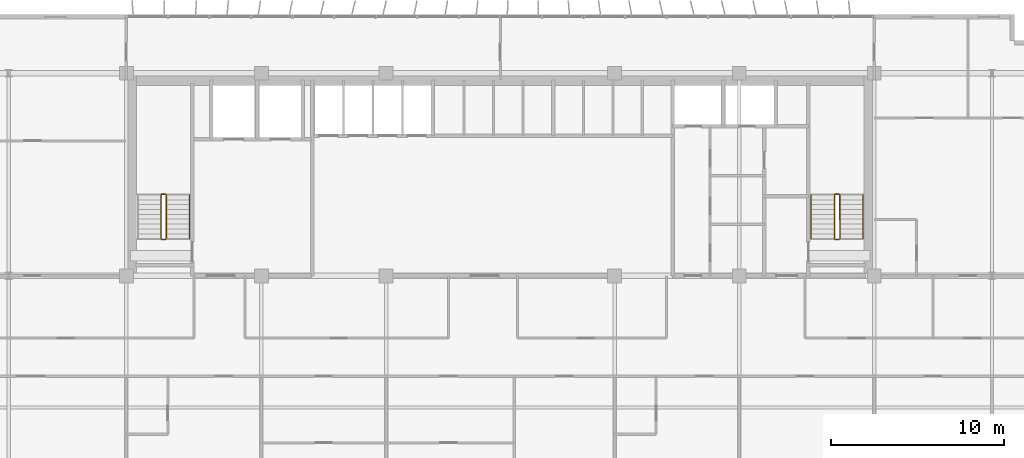
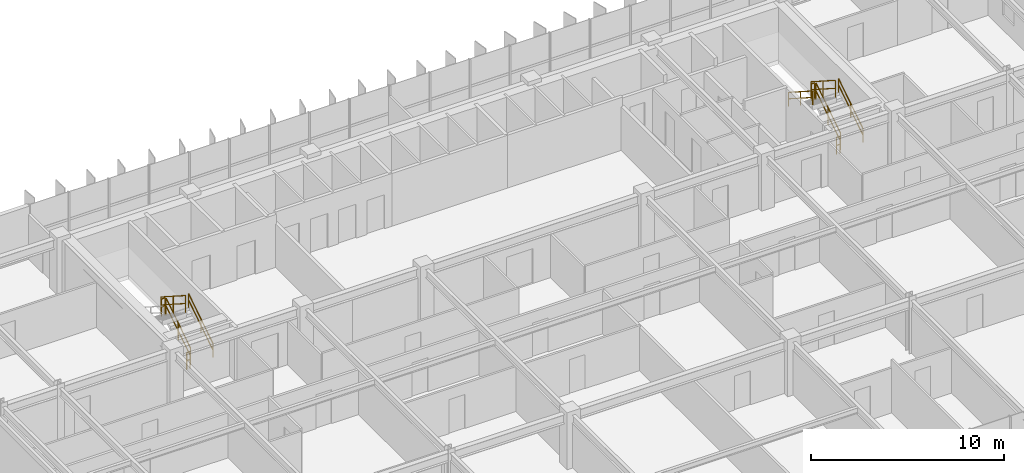
# One storey, part 25 of 26: 11 railings.
"""IFC4 building model written with IfcOpenShell, lengths in metres."""

from ifc_helpers import new_model, si_unit, direction, frame, origin, origin_2d, place, context, subcontext, project, spatial, rectangle, extrude, material, type_object, element, save


model = new_model("IFC4")

# Units and contexts
model_context = context("Model", 3, precision=1e-05, world=origin(), true_north=direction((0.0, 1.0)))
body_context = subcontext(model_context, "Body", "Model", "MODEL_VIEW")
ifc_project = project(units=[si_unit("LENGTHUNIT", "METRE"), si_unit("AREAUNIT", "SQUARE_METRE"), si_unit("VOLUMEUNIT", "CUBIC_METRE"), si_unit("PLANEANGLEUNIT", "RADIAN"), si_unit("MASSUNIT", "GRAM", prefix="KILO")], contexts=[model_context])

# Site, building, storey
site_placement = place(None, origin())
site = spatial("IfcSite", under=ifc_project, at=site_placement, CompositionType="ELEMENT")
building_placement = place(site_placement, origin())
building = spatial("IfcBuilding", under=site, at=building_placement, Name="Trelvane Seafront Commons", CompositionType="ELEMENT")
storey_placement = place(building_placement, frame((0.0, 0.0, 124.89990234375)))
storey = spatial("IfcBuildingStorey", under=building, at=storey_placement, Name="L32", CompositionType="ELEMENT", Elevation=124.89990234375)

# Railings
ifc_material = material(Name="Stainless steel balustrade", Category="steel")
railing_type_1 = type_object("IfcRailingType", Name="ARCH-SRL-GUARD", PredefinedType="GUARDRAIL", material=ifc_material)
railing_1_placement = place(storey_placement, frame((17.89990234375, 35.550048828125, 0.18017578125)))
element("IfcRailing", 1, at=railing_1_placement, inside=storey, type_object=railing_type_1, Name="L32 ST-1 stair guard 1", PredefinedType="GUARDRAIL", context=body_context, shape_type="SweptSolid", body=[
    extrude(rectangle(XDim=0.048095703125, YDim=0.048095703125, at=origin_2d()), frame((0.0, 0.0, 1.076171875), z_axis=(0.0, 0.841199657755, 0.540724639528), x_axis=(-1.0, 0.0, 0.0)), (0.0, 0.0, 1.0), 2.995849609375),
    extrude(rectangle(XDim=0.048095703125, YDim=0.048095703125, at=origin_2d()), frame((0.0, 0.0, 0.572021484375), z_axis=(0.0, 0.841199657755, 0.540724639528), x_axis=(-1.0, 0.0, 0.0)), (0.0, 0.0, 1.0), 2.995849609375),
    extrude(rectangle(XDim=0.0419921875, YDim=0.0419921875, at=origin_2d()), origin(), (0.0, 0.0, 1.0), 1.076171875),
    extrude(rectangle(XDim=0.0419921875, YDim=0.0419921875, at=origin_2d()), frame((0.0, 1.260009765625, 0.81005859375)), (0.0, 0.0, 1.0), 1.076171875),
    extrude(rectangle(XDim=0.0419921875, YDim=0.0419921875, at=origin_2d()), frame((0.0, 2.52001953125, 1.619873046875)), (0.0, 0.0, 1.0), 1.076171875),
])
railing_2_placement = place(storey_placement, frame((17.85009765625, 38.1201171875, 1.800048828125)))
element("IfcRailing", 2, at=railing_2_placement, inside=storey, type_object=railing_type_1, Name="L32 ST-1 stair guard 2", PredefinedType="GUARDRAIL", context=body_context, shape_type="SweptSolid", body=[
    extrude(rectangle(XDim=0.048095703125, YDim=0.048095703125, at=origin_2d()), frame((0.0, 0.0, 1.076171875), z_axis=(-1.0, 0.0, 0.0), x_axis=(0.0, -1.0, 0.0)), (0.0, 0.0, 1.0), 0.2001953125),
    extrude(rectangle(XDim=0.048095703125, YDim=0.048095703125, at=origin_2d()), frame((0.0, 0.0, 0.572021484375), z_axis=(-1.0, 0.0, 0.0), x_axis=(0.0, -1.0, 0.0)), (0.0, 0.0, 1.0), 0.2001953125),
    extrude(rectangle(XDim=0.0419921875, YDim=0.0419921875, at=origin_2d()), origin(), (0.0, 0.0, 1.0), 1.076171875),
    extrude(rectangle(XDim=0.0419921875, YDim=0.0419921875, at=origin_2d()), frame((-0.2001953125, 0.0, 0.0)), (0.0, 0.0, 1.0), 1.076171875),
])
railing_3_placement = place(storey_placement, frame((17.60009765625, 38.070068359375, 1.97998046875)))
element("IfcRailing", 3, at=railing_3_placement, inside=storey, type_object=railing_type_1, Name="L32 ST-1 stair guard 3", PredefinedType="GUARDRAIL", context=body_context, shape_type="SweptSolid", body=[
    extrude(rectangle(XDim=0.048095703125, YDim=0.048095703125, at=origin_2d()), frame((0.0, 0.0, 1.076171875), z_axis=(0.0, -0.841162588446, 0.540782303519), x_axis=(1.0, 0.0, 0.0)), (0.0, 0.0, 1.0), 2.995849609375),
    extrude(rectangle(XDim=0.048095703125, YDim=0.048095703125, at=origin_2d()), frame((0.0, 0.0, 0.572021484375), z_axis=(0.0, -0.841162588446, 0.540782303519), x_axis=(1.0, 0.0, 0.0)), (0.0, 0.0, 1.0), 2.995849609375),
    extrude(rectangle(XDim=0.0419921875, YDim=0.0419921875, at=origin_2d()), origin(), (0.0, 0.0, 1.0), 1.076171875),
    extrude(rectangle(XDim=0.0419921875, YDim=0.0419921875, at=origin_2d()), frame((0.0, -1.260009765625, 0.81005859375)), (0.0, 0.0, 1.0), 1.076171875),
    extrude(rectangle(XDim=0.0419921875, YDim=0.0419921875, at=origin_2d()), frame((0.0, -2.52001953125, 1.6201171875)), (0.0, 0.0, 1.0), 1.076171875),
])
railing_4_placement = place(storey_placement, frame((17.85009765625, 35.5, 0.0)))
element("IfcRailing", 4, at=railing_4_placement, inside=storey, type_object=railing_type_1, Name="L32 ST-1 stair guard 4", PredefinedType="GUARDRAIL", context=body_context, shape_type="SweptSolid", body=[
    extrude(rectangle(XDim=0.048095703125, YDim=0.048095703125, at=origin_2d()), frame((0.0, 0.0, 1.076171875), z_axis=(-1.0, 0.0, 0.0), x_axis=(0.0, -1.0, 0.0)), (0.0, 0.0, 1.0), 0.2001953125),
    extrude(rectangle(XDim=0.048095703125, YDim=0.048095703125, at=origin_2d()), frame((0.0, 0.0, 0.572021484375), z_axis=(-1.0, 0.0, 0.0), x_axis=(0.0, -1.0, 0.0)), (0.0, 0.0, 1.0), 0.2001953125),
    extrude(rectangle(XDim=0.0419921875, YDim=0.0419921875, at=origin_2d()), origin(), (0.0, 0.0, 1.0), 1.076171875),
    extrude(rectangle(XDim=0.0419921875, YDim=0.0419921875, at=origin_2d()), frame((-0.2001953125, 0.0, 0.0)), (0.0, 0.0, 1.0), 1.076171875),
])
railing_5_placement = place(storey_placement, frame((56.800048828125, 35.550048828125, 0.18017578125)))
element("IfcRailing", 5, at=railing_5_placement, inside=storey, type_object=railing_type_1, Name="L32 ST-2 stair guard 1", PredefinedType="GUARDRAIL", context=body_context, shape_type="SweptSolid", body=[
    extrude(rectangle(XDim=0.048095703125, YDim=0.048095703125, at=origin_2d()), frame((0.0, 0.0, 1.076171875), z_axis=(0.0, 0.841199657755, 0.540724639528), x_axis=(-1.0, 0.0, 0.0)), (0.0, 0.0, 1.0), 2.995849609375),
    extrude(rectangle(XDim=0.048095703125, YDim=0.048095703125, at=origin_2d()), frame((0.0, 0.0, 0.572021484375), z_axis=(0.0, 0.841199657755, 0.540724639528), x_axis=(-1.0, 0.0, 0.0)), (0.0, 0.0, 1.0), 2.995849609375),
    extrude(rectangle(XDim=0.0419921875, YDim=0.0419921875, at=origin_2d()), origin(), (0.0, 0.0, 1.0), 1.076171875),
    extrude(rectangle(XDim=0.0419921875, YDim=0.0419921875, at=origin_2d()), frame((0.0, 1.260009765625, 0.81005859375)), (0.0, 0.0, 1.0), 1.076171875),
    extrude(rectangle(XDim=0.0419921875, YDim=0.0419921875, at=origin_2d()), frame((0.0, 2.52001953125, 1.619873046875)), (0.0, 0.0, 1.0), 1.076171875),
])
railing_6_placement = place(storey_placement, frame((56.75, 38.1201171875, 1.800048828125)))
element("IfcRailing", 6, at=railing_6_placement, inside=storey, type_object=railing_type_1, Name="L32 ST-2 stair guard 2", PredefinedType="GUARDRAIL", context=body_context, shape_type="SweptSolid", body=[
    extrude(rectangle(XDim=0.048095703125, YDim=0.048095703125, at=origin_2d()), frame((0.0, 0.0, 1.076171875), z_axis=(-1.0, 0.0, 0.0), x_axis=(0.0, -1.0, 0.0)), (0.0, 0.0, 1.0), 0.199951171875),
    extrude(rectangle(XDim=0.048095703125, YDim=0.048095703125, at=origin_2d()), frame((0.0, 0.0, 0.572021484375), z_axis=(-1.0, 0.0, 0.0), x_axis=(0.0, -1.0, 0.0)), (0.0, 0.0, 1.0), 0.199951171875),
    extrude(rectangle(XDim=0.0419921875, YDim=0.0419921875, at=origin_2d()), origin(), (0.0, 0.0, 1.0), 1.076171875),
    extrude(rectangle(XDim=0.0419921875, YDim=0.0419921875, at=origin_2d()), frame((-0.199951171875, 0.0, 0.0)), (0.0, 0.0, 1.0), 1.076171875),
])
railing_7_placement = place(storey_placement, frame((56.5, 38.070068359375, 1.97998046875)))
element("IfcRailing", 7, at=railing_7_placement, inside=storey, type_object=railing_type_1, Name="L32 ST-2 stair guard 3", PredefinedType="GUARDRAIL", context=body_context, shape_type="SweptSolid", body=[
    extrude(rectangle(XDim=0.048095703125, YDim=0.048095703125, at=origin_2d()), frame((0.0, 0.0, 1.076171875), z_axis=(0.0, -0.841162588446, 0.540782303519), x_axis=(1.0, 0.0, 0.0)), (0.0, 0.0, 1.0), 2.995849609375),
    extrude(rectangle(XDim=0.048095703125, YDim=0.048095703125, at=origin_2d()), frame((0.0, 0.0, 0.572021484375), z_axis=(0.0, -0.841162588446, 0.540782303519), x_axis=(1.0, 0.0, 0.0)), (0.0, 0.0, 1.0), 2.995849609375),
    extrude(rectangle(XDim=0.0419921875, YDim=0.0419921875, at=origin_2d()), origin(), (0.0, 0.0, 1.0), 1.076171875),
    extrude(rectangle(XDim=0.0419921875, YDim=0.0419921875, at=origin_2d()), frame((0.0, -1.260009765625, 0.81005859375)), (0.0, 0.0, 1.0), 1.076171875),
    extrude(rectangle(XDim=0.0419921875, YDim=0.0419921875, at=origin_2d()), frame((0.0, -2.52001953125, 1.6201171875)), (0.0, 0.0, 1.0), 1.076171875),
])
railing_8_placement = place(storey_placement, frame((56.75, 35.5, 0.0)))
element("IfcRailing", 8, at=railing_8_placement, inside=storey, type_object=railing_type_1, Name="L32 ST-2 stair guard 4", PredefinedType="GUARDRAIL", context=body_context, shape_type="SweptSolid", body=[
    extrude(rectangle(XDim=0.048095703125, YDim=0.048095703125, at=origin_2d()), frame((0.0, 0.0, 1.076171875), z_axis=(-1.0, 0.0, 0.0), x_axis=(0.0, -1.0, 0.0)), (0.0, 0.0, 1.0), 0.199951171875),
    extrude(rectangle(XDim=0.048095703125, YDim=0.048095703125, at=origin_2d()), frame((0.0, 0.0, 0.572021484375), z_axis=(-1.0, 0.0, 0.0), x_axis=(0.0, -1.0, 0.0)), (0.0, 0.0, 1.0), 0.199951171875),
    extrude(rectangle(XDim=0.0419921875, YDim=0.0419921875, at=origin_2d()), origin(), (0.0, 0.0, 1.0), 1.076171875),
    extrude(rectangle(XDim=0.0419921875, YDim=0.0419921875, at=origin_2d()), frame((-0.199951171875, 0.0, 0.0)), (0.0, 0.0, 1.0), 1.076171875),
])
railing_type_2 = type_object("IfcRailingType", Name="ARCH-SRL-HAND", PredefinedType="HANDRAIL", material=ifc_material)
for number, where, name in (
    (9, (19.25, 35.550048828125, 0.18017578125), "L32 ST-1 stair handrail 1"),
    (10, (58.14990234375, 35.550048828125, 0.18017578125), "L32 ST-2 stair handrail 1"),
):
    element("IfcRailing", number, at=place(storey_placement, frame(where)), inside=storey, type_object=railing_type_2, Name=name, PredefinedType="HANDRAIL", context=body_context, shape_type="SweptSolid", body=[
        extrude(rectangle(XDim=0.048095703125, YDim=0.048095703125, at=origin_2d()), frame((0.0, 0.0, 0.8759765625), z_axis=(0.0, 0.841199657755, 0.540724639528), x_axis=(-1.0, 0.0, 0.0)), (0.0, 0.0, 1.0), 2.995849609375),
        extrude(rectangle(XDim=0.048095703125, YDim=0.048095703125, at=origin_2d()), frame((0.0, 0.0, 0.468017578125), z_axis=(0.0, 0.841199657755, 0.540724639528), x_axis=(-1.0, 0.0, 0.0)), (0.0, 0.0, 1.0), 2.995849609375),
        extrude(rectangle(XDim=0.0419921875, YDim=0.0419921875, at=origin_2d()), origin(), (0.0, 0.0, 1.0), 0.8759765625),
        extrude(rectangle(XDim=0.0419921875, YDim=0.0419921875, at=origin_2d()), frame((0.0, 1.260009765625, 0.81005859375)), (0.0, 0.0, 1.0), 0.8759765625),
        extrude(rectangle(XDim=0.0419921875, YDim=0.0419921875, at=origin_2d()), frame((0.0, 2.52001953125, 1.619873046875)), (0.0, 0.0, 1.0), 0.8759765625),
    ])
railing_9_placement = place(storey_placement, frame((55.14990234375, 38.070068359375, 1.97998046875)))
element("IfcRailing", 11, at=railing_9_placement, inside=storey, type_object=railing_type_2, Name="L32 ST-2 stair handrail 2", PredefinedType="HANDRAIL", context=body_context, shape_type="SweptSolid", body=[
    extrude(rectangle(XDim=0.048095703125, YDim=0.048095703125, at=origin_2d()), frame((0.0, 0.0, 0.8759765625), z_axis=(0.0, -0.841162588446, 0.540782303519), x_axis=(1.0, 0.0, 0.0)), (0.0, 0.0, 1.0), 2.995849609375),
    extrude(rectangle(XDim=0.048095703125, YDim=0.048095703125, at=origin_2d()), frame((0.0, 0.0, 0.468017578125), z_axis=(0.0, -0.841162588446, 0.540782303519), x_axis=(1.0, 0.0, 0.0)), (0.0, 0.0, 1.0), 2.995849609375),
    extrude(rectangle(XDim=0.0419921875, YDim=0.0419921875, at=origin_2d()), origin(), (0.0, 0.0, 1.0), 0.8759765625),
    extrude(rectangle(XDim=0.0419921875, YDim=0.0419921875, at=origin_2d()), frame((0.0, -1.260009765625, 0.81005859375)), (0.0, 0.0, 1.0), 0.8759765625),
    extrude(rectangle(XDim=0.0419921875, YDim=0.0419921875, at=origin_2d()), frame((0.0, -2.52001953125, 1.6201171875)), (0.0, 0.0, 1.0), 0.8759765625),
])

save(model, "model.ifc")
